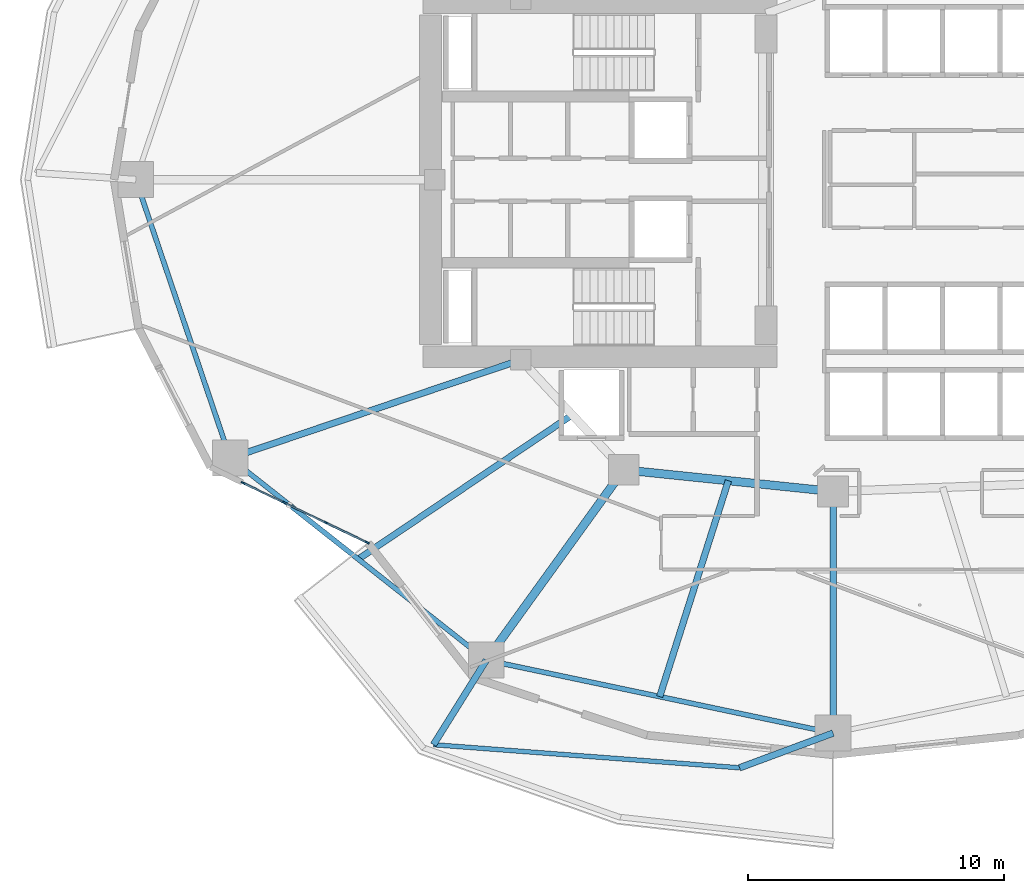
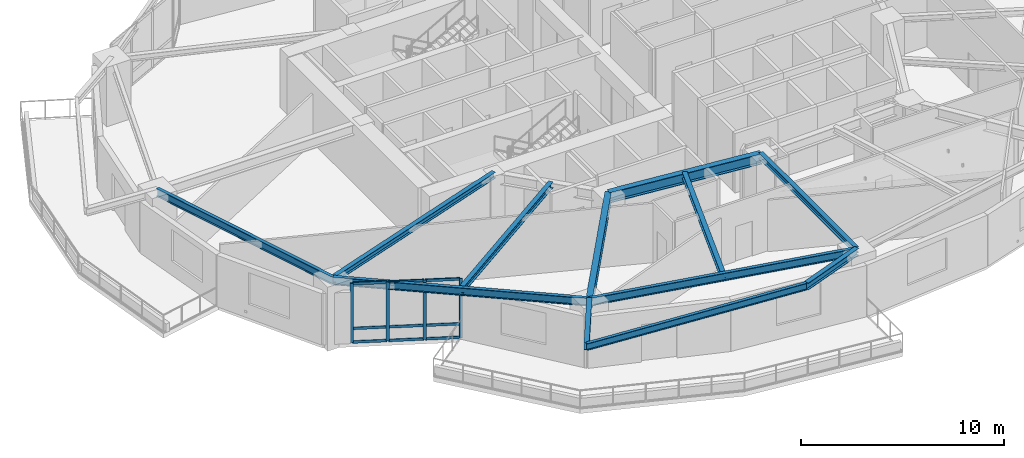
# One storey, part 2 of 19: 13 members, 12 beams, 1 element without a shape of its own.
"""IFC4 building model written with IfcOpenShell, lengths in metres."""

from ifc_helpers import new_model, si_unit, direction, frame, origin, origin_2d, place, context, subcontext, project, spatial, rectangle, i_section, extrude, material, layer, layer_set, material_profile, profile_set, type_object, element, aggregate, save


model = new_model("IFC4")

# Units and contexts
model_context = context("Model", 3, precision=1e-05, world=origin(), true_north=direction((0.0, 1.0)))
body_context = subcontext(model_context, "Body", "Model", "MODEL_VIEW")
ifc_project = project(units=[si_unit("LENGTHUNIT", "METRE"), si_unit("AREAUNIT", "SQUARE_METRE"), si_unit("VOLUMEUNIT", "CUBIC_METRE"), si_unit("PLANEANGLEUNIT", "RADIAN"), si_unit("MASSUNIT", "GRAM", prefix="KILO")], contexts=[model_context])

# Site, building, storey
site_placement = place(None, origin())
site = spatial("IfcSite", under=ifc_project, at=site_placement, CompositionType="ELEMENT")
building_placement = place(site_placement, origin())
building = spatial("IfcBuilding", under=site, at=building_placement, Name="Kolvaren Gate Tower and Convention Centre", CompositionType="ELEMENT")
storey_placement = place(building_placement, frame((0.0, 0.0, 38.050048828125)))
storey = spatial("IfcBuildingStorey", under=building, at=storey_placement, Name="L08", CompositionType="ELEMENT", Elevation=38.050048828125)

# Curtain wall, members
ifc_material_1 = material(Name="Anodized Architectural Aluminium Alloy 6063-T6", Category="aluminium")
ifc_layer = layer(ifc_material_1, 0.159912109375)
ifc_layer_set = layer_set([ifc_layer], Name="Anodized Architectural Aluminium Alloy 6063-T6")
curtain_wall_type = type_object("IfcCurtainWallType", Name="CW-OFF-UNIT", PredefinedType="NOTDEFINED", material=ifc_layer_set)
curtain_wall_placement = place(storey_placement, origin())
curtain_wall = element("IfcCurtainWall", 1, at=curtain_wall_placement, inside=storey, type_object=curtain_wall_type, Name="Tower L08 Unitised Curtain Wall CW-OFF-UNIT Bay 14", PredefinedType="NOTDEFINED")
ifc_material_profile_1 = material_profile(ifc_material_1, rectangle(XDim=0.06494140625, YDim=0.159912109375, at=origin_2d()), Name="CW-MEM-MUL-160")
ifc_profile_set_1 = profile_set([ifc_material_profile_1], Name="Anodized Architectural Aluminium Alloy 6063-T6")
member_type_1 = type_object("IfcMemberType", Name="CW-MEM-MUL-160", PredefinedType="MULLION", material=ifc_profile_set_1)
member_1_placement = place(storey_placement, frame((7.0419921875, 15.137939453125, 0.0), z_axis=(0.0, 0.0, 1.0), x_axis=(0.433056703319, 0.901366679942, 0.0)))
member_1 = element("IfcMember", 2, at=member_1_placement, type_object=member_type_1, Name="CW-02 mullion 1", PredefinedType="MULLION", context=body_context, shape_type="SweptSolid", body=[
    extrude(rectangle(XDim=0.06494140625, YDim=0.159912109375, at=origin_2d()), origin(), (0.0, 0.0, 1.0), 3.570068359375),
])
member_2_placement = place(storey_placement, frame((8.6533203125, 14.36376953125, 0.0), z_axis=(0.0, 0.0, 1.0), x_axis=(0.433056703319, 0.901366679942, 0.0)))
member_2 = element("IfcMember", 3, at=member_2_placement, type_object=member_type_1, Name="CW-02 mullion 2", PredefinedType="MULLION", context=body_context, shape_type="SweptSolid", body=[
    extrude(rectangle(XDim=0.06494140625, YDim=0.159912109375, at=origin_2d()), origin(), (0.0, 0.0, 1.0), 3.570068359375),
])
member_3_placement = place(storey_placement, frame((10.2939453125, 13.575439453125, 0.0), z_axis=(0.0, 0.0, 1.0), x_axis=(0.433056703319, 0.901366679942, 0.0)))
member_3 = element("IfcMember", 4, at=member_3_placement, type_object=member_type_1, Name="CW-02 mullion 3", PredefinedType="MULLION", context=body_context, shape_type="SweptSolid", body=[
    extrude(rectangle(XDim=0.06494140625, YDim=0.159912109375, at=origin_2d()), origin(), (0.0, 0.0, 1.0), 3.570068359375),
])
member_4_placement = place(storey_placement, frame((11.905517578125, 12.80126953125, 0.0), z_axis=(0.0, 0.0, 1.0), x_axis=(0.433056703319, 0.901366679942, 0.0)))
member_4 = element("IfcMember", 5, at=member_4_placement, type_object=member_type_1, Name="CW-02 mullion 4", PredefinedType="MULLION", context=body_context, shape_type="SweptSolid", body=[
    extrude(rectangle(XDim=0.06494140625, YDim=0.159912109375, at=origin_2d()), origin(), (0.0, 0.0, 1.0), 3.570068359375),
])
ifc_material_profile_2 = material_profile(ifc_material_1, rectangle(XDim=0.06494140625, YDim=0.159912109375, at=origin_2d()), Name="CW-MEM-TRN-160")
ifc_profile_set_2 = profile_set([ifc_material_profile_2], Name="Anodized Architectural Aluminium Alloy 6063-T6")
member_type_2 = type_object("IfcMemberType", Name="CW-MEM-TRN-160", PredefinedType="USERDEFINED", material=ifc_profile_set_2)
member_5_placement = place(storey_placement, frame((7.0712890625, 15.123779296875, 0.032470703125), z_axis=(0.901346061138, -0.433099616798, 0.0), x_axis=(0.433099616798, 0.901346061138, 0.0)))
member_5 = element("IfcMember", 6, at=member_5_placement, type_object=member_type_2, Name="CW-02 transom 1.1", ObjectType="TRANSOM", PredefinedType="USERDEFINED", context=body_context, shape_type="SweptSolid", body=[
    extrude(rectangle(XDim=0.06494140625, YDim=0.159912109375, at=origin_2d()), origin(), (0.0, 0.0, 1.0), 1.72265625),
])
member_6_placement = place(storey_placement, frame((7.0712890625, 15.123779296875, 0.849853515625), z_axis=(0.901346061138, -0.433099616798, 0.0), x_axis=(0.433099616798, 0.901346061138, 0.0)))
member_6 = element("IfcMember", 7, at=member_6_placement, type_object=member_type_2, Name="CW-02 transom 1.2", ObjectType="TRANSOM", PredefinedType="USERDEFINED", context=body_context, shape_type="SweptSolid", body=[
    extrude(rectangle(XDim=0.06494140625, YDim=0.159912109375, at=origin_2d()), origin(), (0.0, 0.0, 1.0), 1.72265625),
])
member_7_placement = place(storey_placement, frame((7.0712890625, 15.123779296875, 3.537353515625), z_axis=(0.901346061138, -0.433099616798, 0.0), x_axis=(0.433099616798, 0.901346061138, 0.0)))
member_7 = element("IfcMember", 8, at=member_7_placement, type_object=member_type_2, Name="CW-02 transom 1.3", ObjectType="TRANSOM", PredefinedType="USERDEFINED", context=body_context, shape_type="SweptSolid", body=[
    extrude(rectangle(XDim=0.06494140625, YDim=0.159912109375, at=origin_2d()), origin(), (0.0, 0.0, 1.0), 1.72265625),
])
member_8_placement = place(storey_placement, frame((8.6826171875, 14.349609375, 0.032470703125), z_axis=(0.901407995871, -0.4329706976, 0.0), x_axis=(0.4329706976, 0.901407995871, 0.0)))
member_8 = element("IfcMember", 9, at=member_8_placement, type_object=member_type_2, Name="CW-02 transom 2.1", ObjectType="TRANSOM", PredefinedType="USERDEFINED", context=body_context, shape_type="SweptSolid", body=[
    extrude(rectangle(XDim=0.06494140625, YDim=0.159912109375, at=origin_2d()), origin(), (0.0, 0.0, 1.0), 1.75537109375),
])
member_9_placement = place(storey_placement, frame((8.6826171875, 14.349609375, 0.849853515625), z_axis=(0.901407995871, -0.4329706976, 0.0), x_axis=(0.4329706976, 0.901407995871, 0.0)))
member_9 = element("IfcMember", 10, at=member_9_placement, type_object=member_type_2, Name="CW-02 transom 2.2", ObjectType="TRANSOM", PredefinedType="USERDEFINED", context=body_context, shape_type="SweptSolid", body=[
    extrude(rectangle(XDim=0.06494140625, YDim=0.159912109375, at=origin_2d()), origin(), (0.0, 0.0, 1.0), 1.75537109375),
])
member_10_placement = place(storey_placement, frame((8.6826171875, 14.349609375, 3.537353515625), z_axis=(0.901407995871, -0.4329706976, 0.0), x_axis=(0.4329706976, 0.901407995871, 0.0)))
member_10 = element("IfcMember", 11, at=member_10_placement, type_object=member_type_2, Name="CW-02 transom 2.3", ObjectType="TRANSOM", PredefinedType="USERDEFINED", context=body_context, shape_type="SweptSolid", body=[
    extrude(rectangle(XDim=0.06494140625, YDim=0.159912109375, at=origin_2d()), origin(), (0.0, 0.0, 1.0), 1.75537109375),
])
member_11_placement = place(storey_placement, frame((10.3232421875, 13.561279296875, 0.032470703125), z_axis=(0.901427946986, -0.43292915863, 0.0), x_axis=(0.43292915863, 0.901427946986, 0.0)))
member_11 = element("IfcMember", 12, at=member_11_placement, type_object=member_type_2, Name="CW-02 transom 3.1", ObjectType="TRANSOM", PredefinedType="USERDEFINED", context=body_context, shape_type="SweptSolid", body=[
    extrude(rectangle(XDim=0.06494140625, YDim=0.159912109375, at=origin_2d()), origin(), (0.0, 0.0, 1.0), 1.722900390625),
])
member_12_placement = place(storey_placement, frame((10.3232421875, 13.561279296875, 0.849853515625), z_axis=(0.901427946986, -0.43292915863, 0.0), x_axis=(0.43292915863, 0.901427946986, 0.0)))
member_12 = element("IfcMember", 13, at=member_12_placement, type_object=member_type_2, Name="CW-02 transom 3.2", ObjectType="TRANSOM", PredefinedType="USERDEFINED", context=body_context, shape_type="SweptSolid", body=[
    extrude(rectangle(XDim=0.06494140625, YDim=0.159912109375, at=origin_2d()), origin(), (0.0, 0.0, 1.0), 1.722900390625),
])
member_13_placement = place(storey_placement, frame((10.3232421875, 13.561279296875, 3.537353515625), z_axis=(0.901427946986, -0.43292915863, 0.0), x_axis=(0.43292915863, 0.901427946986, 0.0)))
member_13 = element("IfcMember", 14, at=member_13_placement, type_object=member_type_2, Name="CW-02 transom 3.3", ObjectType="TRANSOM", PredefinedType="USERDEFINED", context=body_context, shape_type="SweptSolid", body=[
    extrude(rectangle(XDim=0.06494140625, YDim=0.159912109375, at=origin_2d()), origin(), (0.0, 0.0, 1.0), 1.722900390625),
])
aggregate(curtain_wall, [member_1, member_2, member_3, member_4, member_5, member_6, member_7, member_8, member_9, member_10, member_11, member_12, member_13])

# Beams
ifc_material_2 = material(Name="Structural steel ASTM A992 Grade 345 MPa", Category="steel")
ifc_material_profile_3 = material_profile(ifc_material_2, i_section(OverallWidth=0.260009765625, OverallDepth=0.419921875, WebThickness=0.013427734375, FlangeThickness=0.0224609375, at=origin_2d()), Name="W410X132")
ifc_profile_set_3 = profile_set([ifc_material_profile_3], Name="Structural steel ASTM A992 Grade 345 MPa")
beam_type_1 = type_object("IfcBeamType", Name="STR-BM-W410X132", PredefinedType="BEAM", material=ifc_profile_set_3)
beam_1_placement = place(storey_placement, frame((16.559814453125, 8.20361328125, 3.3603515625), z_axis=(-0.529869507961, -0.848079185296, 0.0), x_axis=(0.848079185296, -0.529869507961, 0.0)))
element("IfcBeam", 15, at=beam_1_placement, inside=storey, type_object=beam_type_1, Name="Tower L09 Planted Balcony Outrigger Cantilever BC-3A", PredefinedType="BEAM", context=body_context, shape_type="SweptSolid", body=[
    extrude(i_section(OverallWidth=0.260009765625, OverallDepth=0.419921875, WebThickness=0.013427734375, FlangeThickness=0.0224609375, at=origin_2d()), origin(), (0.0, 0.0, 1.0), 3.89990234375),
])
beam_2_placement = place(storey_placement, frame((30.125, 5.35009765625, 3.3603515625), z_axis=(-0.937407757703, -0.348233679873, 0.0), x_axis=(0.348233679873, -0.937407757703, 0.0)))
element("IfcBeam", 16, at=beam_2_placement, inside=storey, type_object=beam_type_1, Name="Tower L09 Planted Balcony Outrigger Cantilever BC-3B", PredefinedType="BEAM", context=body_context, shape_type="SweptSolid", body=[
    extrude(i_section(OverallWidth=0.260009765625, OverallDepth=0.419921875, WebThickness=0.013427734375, FlangeThickness=0.0224609375, at=origin_2d()), origin(), (0.0, 0.0, 1.0), 3.900146484375),
])
ifc_material_profile_4 = material_profile(ifc_material_2, i_section(OverallWidth=0.327880859375, OverallDepth=0.6279296875, WebThickness=0.0166015625, FlangeThickness=0.027587890625, at=origin_2d()), Name="W610X217")
ifc_profile_set_4 = profile_set([ifc_material_profile_4], Name="Structural steel ASTM A992 Grade 345 MPa")
beam_type_2 = type_object("IfcBeamType", Name="STR-BM-W610X217", PredefinedType="BEAM", material=ifc_profile_set_4)
beam_3_placement = place(storey_placement, frame((21.93212890625, 15.647705078125, 3.255859375), z_axis=(0.994690329115, -0.102913308978, 0.0), x_axis=(0.102913308978, 0.994690329115, 0.0)))
element("IfcBeam", 17, at=beam_3_placement, inside=storey, type_object=beam_type_2, Name="Tower L08 Primary Ring Girder G-07", PredefinedType="BEAM", context=body_context, shape_type="SweptSolid", body=[
    extrude(i_section(OverallWidth=0.327880859375, OverallDepth=0.6279296875, WebThickness=0.0166015625, FlangeThickness=0.027587890625, at=origin_2d()), origin(), (0.0, 0.0, 1.0), 8.236572265625),
])
beam_4_placement = place(storey_placement, frame((21.93212890625, 15.647705078125, 3.255859375), z_axis=(-0.585206018873, -0.810884649919, 0.0), x_axis=(0.810884649919, -0.585206018873, 0.0)))
element("IfcBeam", 18, at=beam_4_placement, inside=storey, type_object=beam_type_2, Name="Tower L08 Radial Floor Girder RB-09", PredefinedType="BEAM", context=body_context, shape_type="SweptSolid", body=[
    extrude(i_section(OverallWidth=0.327880859375, OverallDepth=0.6279296875, WebThickness=0.0166015625, FlangeThickness=0.027587890625, at=origin_2d()), origin(), (0.0, 0.0, 1.0), 9.18017578125),
])
ifc_material_profile_5 = material_profile(ifc_material_2, i_section(OverallWidth=0.2548828125, OverallDepth=0.35693359375, WebThickness=0.010498046875, FlangeThickness=0.018310546875, at=origin_2d()), Name="W360X101")
ifc_profile_set_5 = profile_set([ifc_material_profile_5], Name="Structural steel ASTM A992 Grade 345 MPa")
beam_type_3 = type_object("IfcBeamType", Name="STR-JS-W360X101", PredefinedType="JOIST", material=ifc_profile_set_5)
beam_5_placement = place(storey_placement, frame((17.9140625, 19.949951171875, 3.391357421875), z_axis=(-0.947373842609, -0.320129352512, 0.0), x_axis=(0.320129352512, -0.947373842609, 0.0)))
element("IfcBeam", 19, at=beam_5_placement, inside=storey, type_object=beam_type_3, Name="Tower L08 Radial Floor Girder RB-08", PredefinedType="JOIST", context=body_context, shape_type="SweptSolid", body=[
    extrude(i_section(OverallWidth=0.2548828125, OverallDepth=0.35693359375, WebThickness=0.010498046875, FlangeThickness=0.018310546875, at=origin_2d()), origin(), (0.0, 0.0, 1.0), 12.006103515625),
])
beam_6_placement = place(storey_placement, frame((30.125, 14.800048828125, 3.391357421875), z_axis=(0.0, -1.0, 0.0), x_axis=(1.0, 0.0, 0.0)))
element("IfcBeam", 20, at=beam_6_placement, inside=storey, type_object=beam_type_3, Name="Tower L08 Radial Floor Girder RB-10", PredefinedType="JOIST", context=body_context, shape_type="SweptSolid", body=[
    extrude(i_section(OverallWidth=0.2548828125, OverallDepth=0.35693359375, WebThickness=0.010498046875, FlangeThickness=0.018310546875, at=origin_2d()), origin(), (0.0, 0.0, 1.0), 9.449951171875),
])
beam_7_placement = place(storey_placement, frame((19.923095703125, 17.798828125, 3.391357421875), z_axis=(-0.829223797874, -0.558916713866, 0.0), x_axis=(0.558916713866, -0.829223797874, 0.0)))
element("IfcBeam", 21, at=beam_7_placement, inside=storey, type_object=beam_type_3, Name="Tower L08 Secondary Composite Floor Joist J-08.1", PredefinedType="JOIST", context=body_context, shape_type="SweptSolid", body=[
    extrude(i_section(OverallWidth=0.2548828125, OverallDepth=0.35693359375, WebThickness=0.010498046875, FlangeThickness=0.018310546875, at=origin_2d()), origin(), (0.0, 0.0, 1.0), 10.09765625),
])
beam_8_placement = place(storey_placement, frame((26.028564453125, 15.223876953125, 3.391357421875), z_axis=(-0.303059270932, -0.952971709078, 0.0), x_axis=(0.952971709078, -0.303059270932, 0.0)))
element("IfcBeam", 22, at=beam_8_placement, inside=storey, type_object=beam_type_3, Name="Tower L08 Secondary Composite Floor Joist J-09.1", PredefinedType="JOIST", context=body_context, shape_type="SweptSolid", body=[
    extrude(i_section(OverallWidth=0.2548828125, OverallDepth=0.35693359375, WebThickness=0.010498046875, FlangeThickness=0.018310546875, at=origin_2d()), origin(), (0.0, 0.0, 1.0), 8.86376953125),
])
ifc_material_profile_6 = material_profile(ifc_material_2, i_section(OverallWidth=0.180908203125, OverallDepth=0.4169921875, WebThickness=0.010986328125, FlangeThickness=0.018310546875, at=origin_2d()), Name="W410X85")
ifc_profile_set_6 = profile_set([ifc_material_profile_6], Name="Structural steel ASTM A992 Grade 345 MPa")
beam_type_4 = type_object("IfcBeamType", Name="STR-SP-W410X85", PredefinedType="SPANDREL", material=ifc_profile_set_6)
beam_9_placement = place(storey_placement, frame((14.493408203125, 4.896240234375, 3.362060546875), z_axis=(0.997161126169, -0.075297333673, 0.0), x_axis=(0.075297333673, 0.997161126169, 0.0)))
element("IfcBeam", 23, at=beam_9_placement, inside=storey, type_object=beam_type_4, Name="Tower L09 Planted Balcony Header Tie Beam BT-3", PredefinedType="SPANDREL", context=body_context, shape_type="SweptSolid", body=[
    extrude(i_section(OverallWidth=0.180908203125, OverallDepth=0.4169921875, WebThickness=0.010986328125, FlangeThickness=0.018310546875, at=origin_2d()), origin(), (0.0, 0.0, 1.0), 12.009765625),
])
ifc_material_profile_7 = material_profile(ifc_material_2, i_section(OverallWidth=0.194091796875, OverallDepth=0.468994140625, WebThickness=0.0126953125, FlangeThickness=0.0205078125, at=origin_2d()), Name="W460X106")
ifc_profile_set_7 = profile_set([ifc_material_profile_7], Name="Structural steel ASTM A992 Grade 345 MPa")
beam_type_5 = type_object("IfcBeamType", Name="STR-SP-W460X106", PredefinedType="SPANDREL", material=ifc_profile_set_7)
beam_10_placement = place(storey_placement, frame((2.85009765625, 27.0, 3.33544921875), z_axis=(0.320802733798, -0.947146032029, 0.0), x_axis=(0.947146032029, 0.320802733798, 0.0)))
element("IfcBeam", 24, at=beam_10_placement, inside=storey, type_object=beam_type_5, Name="Tower L08 Perimeter Spandrel Beam SP-07", PredefinedType="SPANDREL", context=body_context, shape_type="SweptSolid", body=[
    extrude(i_section(OverallWidth=0.194091796875, OverallDepth=0.468994140625, WebThickness=0.0126953125, FlangeThickness=0.0205078125, at=origin_2d()), origin(), (0.0, 0.0, 1.0), 11.50146484375),
])
beam_11_placement = place(storey_placement, frame((6.539794921875, 16.1064453125, 3.33544921875), z_axis=(0.785176498861, -0.619272044933, 0.0), x_axis=(0.619272044933, 0.785176498861, 0.0)))
element("IfcBeam", 25, at=beam_11_placement, inside=storey, type_object=beam_type_5, Name="Tower L08 Perimeter Spandrel Beam SP-08", PredefinedType="SPANDREL", context=body_context, shape_type="SweptSolid", body=[
    extrude(i_section(OverallWidth=0.194091796875, OverallDepth=0.468994140625, WebThickness=0.0126953125, FlangeThickness=0.0205078125, at=origin_2d()), origin(), (0.0, 0.0, 1.0), 12.761474609375),
])
beam_12_placement = place(storey_placement, frame((16.559814453125, 8.20361328125, 3.33544921875), z_axis=(0.978583407863, -0.205850707685, 0.0), x_axis=(0.205850707685, 0.978583407863, 0.0)))
element("IfcBeam", 26, at=beam_12_placement, inside=storey, type_object=beam_type_5, Name="Tower L08 Perimeter Spandrel Beam SP-09", PredefinedType="SPANDREL", context=body_context, shape_type="SweptSolid", body=[
    extrude(i_section(OverallWidth=0.194091796875, OverallDepth=0.468994140625, WebThickness=0.0126953125, FlangeThickness=0.0205078125, at=origin_2d()), origin(), (0.0, 0.0, 1.0), 13.862060546875),
])

save(model, "model.ifc")
